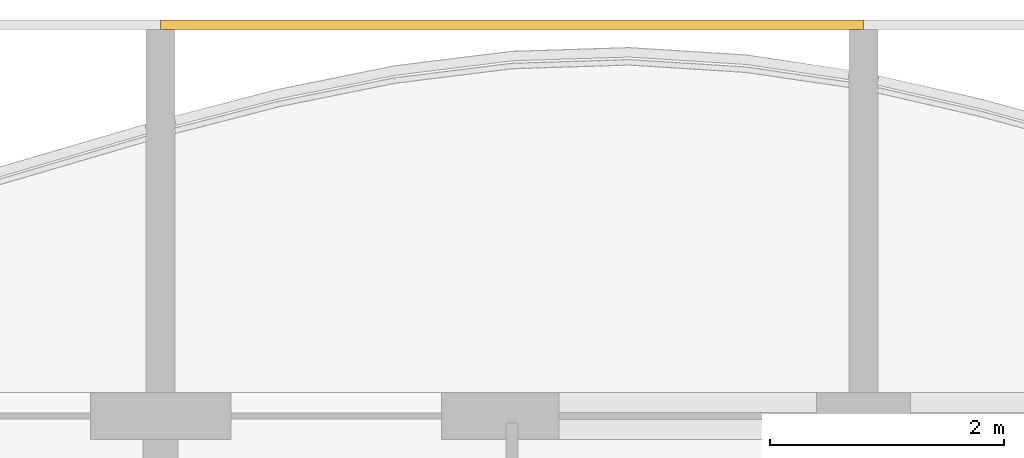
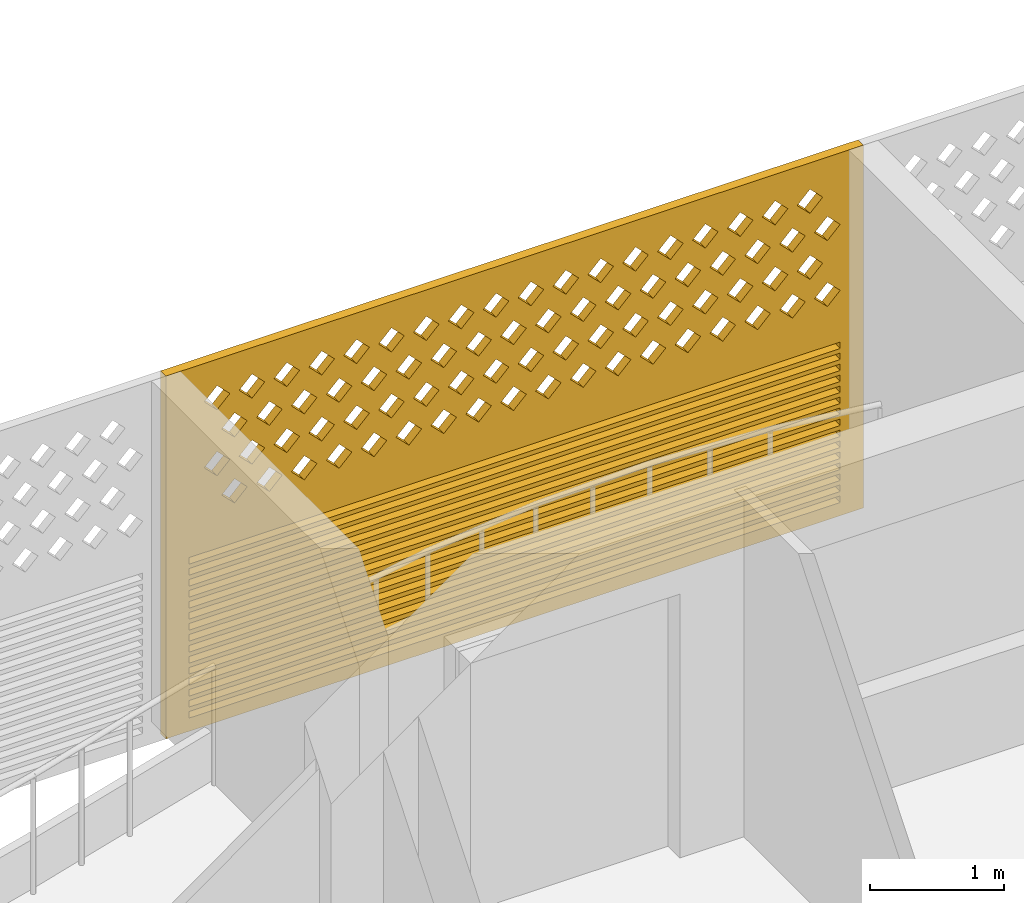
# One storey, part 29 of 31: 1 covering.
"""IFC4 building model written with IfcOpenShell, lengths in metres."""

from ifc_helpers import new_model, si_unit, direction, frame, origin, place, context, subcontext, project, spatial, polyline, outline, extrude, source, transform, mapped, material, material_profile, profile_set, type_object, element, save


model = new_model("IFC4")

# Units and contexts
model_context = context("Model", 3, precision=1e-05, world=origin(), true_north=direction((0.0, 1.0)))
body_context = subcontext(model_context, "Body", "Model", "MODEL_VIEW")
ifc_project = project(units=[si_unit("LENGTHUNIT", "METRE"), si_unit("AREAUNIT", "SQUARE_METRE"), si_unit("VOLUMEUNIT", "CUBIC_METRE"), si_unit("PLANEANGLEUNIT", "RADIAN"), si_unit("MASSUNIT", "GRAM", prefix="KILO")], contexts=[model_context])

# Site, building, storey
site_placement = place(None, origin())
site = spatial("IfcSite", under=ifc_project, at=site_placement, CompositionType="ELEMENT")
building_placement = place(site_placement, origin())
building = spatial("IfcBuilding", under=site, at=building_placement, Name="Poui Terraces", CompositionType="ELEMENT")
storey_placement = place(building_placement, frame((0.0, 0.0, 145.5)))
storey = spatial("IfcBuildingStorey", under=building, at=storey_placement, Name="L40", CompositionType="ELEMENT", Elevation=145.5)

# Covering
ifc_material = material(Name="Terracotta screen", Category="masonry")
ifc_material_profile = material_profile(ifc_material, outline(polyline([(-3.0, -1.64990234375), (3.0, -1.64990234375), (3.0, 1.64990234375), (-3.0, 1.64990234375), (-3.0, -1.64990234375)]), holes=[polyline([(-2.800048828125, 0.39990234375), (-2.68994140625, 0.2900390625), (-2.580078125, 0.39990234375), (-2.68994140625, 0.510009765625), (-2.800048828125, 0.39990234375)]), polyline([(-2.5, 0.39990234375), (-2.389892578125, 0.2900390625), (-2.280029296875, 0.39990234375), (-2.389892578125, 0.510009765625), (-2.5, 0.39990234375)]), polyline([(-2.199951171875, 0.39990234375), (-2.090087890625, 0.2900390625), (-1.97998046875, 0.39990234375), (-2.090087890625, 0.510009765625), (-2.199951171875, 0.39990234375)]), polyline([(-1.89990234375, 0.39990234375), (-1.7900390625, 0.2900390625), (-1.679931640625, 0.39990234375), (-1.7900390625, 0.510009765625), (-1.89990234375, 0.39990234375)]), polyline([(-1.60009765625, 0.39990234375), (-1.489990234375, 0.2900390625), (-1.3798828125, 0.39990234375), (-1.489990234375, 0.510009765625), (-1.60009765625, 0.39990234375)]), polyline([(-1.300048828125, 0.39990234375), (-1.18994140625, 0.2900390625), (-1.080078125, 0.39990234375), (-1.18994140625, 0.510009765625), (-1.300048828125, 0.39990234375)]), polyline([(-1.0, 0.39990234375), (-0.889892578125, 0.2900390625), (-0.780029296875, 0.39990234375), (-0.889892578125, 0.510009765625), (-1.0, 0.39990234375)]), polyline([(-0.699951171875, 0.39990234375), (-0.590087890625, 0.2900390625), (-0.47998046875, 0.39990234375), (-0.590087890625, 0.510009765625), (-0.699951171875, 0.39990234375)]), polyline([(-0.39990234375, 0.39990234375), (-0.2900390625, 0.2900390625), (-0.179931640625, 0.39990234375), (-0.2900390625, 0.510009765625), (-0.39990234375, 0.39990234375)]), polyline([(-0.10009765625, 0.39990234375), (0.010009765625, 0.2900390625), (0.1201171875, 0.39990234375), (0.010009765625, 0.510009765625), (-0.10009765625, 0.39990234375)]), polyline([(0.199951171875, 0.39990234375), (0.31005859375, 0.2900390625), (0.419921875, 0.39990234375), (0.31005859375, 0.510009765625), (0.199951171875, 0.39990234375)]), polyline([(0.5, 0.39990234375), (0.610107421875, 0.2900390625), (0.719970703125, 0.39990234375), (0.610107421875, 0.510009765625), (0.5, 0.39990234375)]), polyline([(0.800048828125, 0.39990234375), (0.909912109375, 0.2900390625), (1.02001953125, 0.39990234375), (0.909912109375, 0.510009765625), (0.800048828125, 0.39990234375)]), polyline([(1.10009765625, 0.39990234375), (1.2099609375, 0.2900390625), (1.320068359375, 0.39990234375), (1.2099609375, 0.510009765625), (1.10009765625, 0.39990234375)]), polyline([(1.39990234375, 0.39990234375), (1.510009765625, 0.2900390625), (1.6201171875, 0.39990234375), (1.510009765625, 0.510009765625), (1.39990234375, 0.39990234375)]), polyline([(1.699951171875, 0.39990234375), (1.81005859375, 0.2900390625), (1.919921875, 0.39990234375), (1.81005859375, 0.510009765625), (1.699951171875, 0.39990234375)]), polyline([(2.0, 0.39990234375), (2.110107421875, 0.2900390625), (2.219970703125, 0.39990234375), (2.110107421875, 0.510009765625), (2.0, 0.39990234375)]), polyline([(2.300048828125, 0.39990234375), (2.409912109375, 0.2900390625), (2.52001953125, 0.39990234375), (2.409912109375, 0.510009765625), (2.300048828125, 0.39990234375)]), polyline([(-2.64990234375, 0.699951171875), (-2.5400390625, 0.590087890625), (-2.429931640625, 0.699951171875), (-2.5400390625, 0.81005859375), (-2.64990234375, 0.699951171875)]), polyline([(-2.35009765625, 0.699951171875), (-2.239990234375, 0.590087890625), (-2.1298828125, 0.699951171875), (-2.239990234375, 0.81005859375), (-2.35009765625, 0.699951171875)]), polyline([(-2.050048828125, 0.699951171875), (-1.93994140625, 0.590087890625), (-1.830078125, 0.699951171875), (-1.93994140625, 0.81005859375), (-2.050048828125, 0.699951171875)]), polyline([(-1.75, 0.699951171875), (-1.639892578125, 0.590087890625), (-1.530029296875, 0.699951171875), (-1.639892578125, 0.81005859375), (-1.75, 0.699951171875)]), polyline([(-1.449951171875, 0.699951171875), (-1.340087890625, 0.590087890625), (-1.22998046875, 0.699951171875), (-1.340087890625, 0.81005859375), (-1.449951171875, 0.699951171875)]), polyline([(-1.14990234375, 0.699951171875), (-1.0400390625, 0.590087890625), (-0.929931640625, 0.699951171875), (-1.0400390625, 0.81005859375), (-1.14990234375, 0.699951171875)]), polyline([(-0.85009765625, 0.699951171875), (-0.739990234375, 0.590087890625), (-0.6298828125, 0.699951171875), (-0.739990234375, 0.81005859375), (-0.85009765625, 0.699951171875)]), polyline([(-0.550048828125, 0.699951171875), (-0.43994140625, 0.590087890625), (-0.330078125, 0.699951171875), (-0.43994140625, 0.81005859375), (-0.550048828125, 0.699951171875)]), polyline([(-0.25, 0.699951171875), (-0.139892578125, 0.590087890625), (-0.030029296875, 0.699951171875), (-0.139892578125, 0.81005859375), (-0.25, 0.699951171875)]), polyline([(0.050048828125, 0.699951171875), (0.159912109375, 0.590087890625), (0.27001953125, 0.699951171875), (0.159912109375, 0.81005859375), (0.050048828125, 0.699951171875)]), polyline([(0.35009765625, 0.699951171875), (0.4599609375, 0.590087890625), (0.570068359375, 0.699951171875), (0.4599609375, 0.81005859375), (0.35009765625, 0.699951171875)]), polyline([(0.64990234375, 0.699951171875), (0.760009765625, 0.590087890625), (0.8701171875, 0.699951171875), (0.760009765625, 0.81005859375), (0.64990234375, 0.699951171875)]), polyline([(0.949951171875, 0.699951171875), (1.06005859375, 0.590087890625), (1.169921875, 0.699951171875), (1.06005859375, 0.81005859375), (0.949951171875, 0.699951171875)]), polyline([(1.25, 0.699951171875), (1.360107421875, 0.590087890625), (1.469970703125, 0.699951171875), (1.360107421875, 0.81005859375), (1.25, 0.699951171875)]), polyline([(1.550048828125, 0.699951171875), (1.659912109375, 0.590087890625), (1.77001953125, 0.699951171875), (1.659912109375, 0.81005859375), (1.550048828125, 0.699951171875)]), polyline([(1.85009765625, 0.699951171875), (1.9599609375, 0.590087890625), (2.070068359375, 0.699951171875), (1.9599609375, 0.81005859375), (1.85009765625, 0.699951171875)]), polyline([(2.14990234375, 0.699951171875), (2.260009765625, 0.590087890625), (2.3701171875, 0.699951171875), (2.260009765625, 0.81005859375), (2.14990234375, 0.699951171875)]), polyline([(2.449951171875, 0.699951171875), (2.56005859375, 0.590087890625), (2.669921875, 0.699951171875), (2.56005859375, 0.81005859375), (2.449951171875, 0.699951171875)]), polyline([(-2.800048828125, 1.0), (-2.68994140625, 0.889892578125), (-2.580078125, 1.0), (-2.68994140625, 1.110107421875), (-2.800048828125, 1.0)]), polyline([(-2.5, 1.0), (-2.389892578125, 0.889892578125), (-2.280029296875, 1.0), (-2.389892578125, 1.110107421875), (-2.5, 1.0)]), polyline([(-2.199951171875, 1.0), (-2.090087890625, 0.889892578125), (-1.97998046875, 1.0), (-2.090087890625, 1.110107421875), (-2.199951171875, 1.0)]), polyline([(-1.89990234375, 1.0), (-1.7900390625, 0.889892578125), (-1.679931640625, 1.0), (-1.7900390625, 1.110107421875), (-1.89990234375, 1.0)]), polyline([(-1.60009765625, 1.0), (-1.489990234375, 0.889892578125), (-1.3798828125, 1.0), (-1.489990234375, 1.110107421875), (-1.60009765625, 1.0)]), polyline([(-1.300048828125, 1.0), (-1.18994140625, 0.889892578125), (-1.080078125, 1.0), (-1.18994140625, 1.110107421875), (-1.300048828125, 1.0)]), polyline([(-1.0, 1.0), (-0.889892578125, 0.889892578125), (-0.780029296875, 1.0), (-0.889892578125, 1.110107421875), (-1.0, 1.0)]), polyline([(-0.699951171875, 1.0), (-0.590087890625, 0.889892578125), (-0.47998046875, 1.0), (-0.590087890625, 1.110107421875), (-0.699951171875, 1.0)]), polyline([(-0.39990234375, 1.0), (-0.2900390625, 0.889892578125), (-0.179931640625, 1.0), (-0.2900390625, 1.110107421875), (-0.39990234375, 1.0)]), polyline([(-0.10009765625, 1.0), (0.010009765625, 0.889892578125), (0.1201171875, 1.0), (0.010009765625, 1.110107421875), (-0.10009765625, 1.0)]), polyline([(0.199951171875, 1.0), (0.31005859375, 0.889892578125), (0.419921875, 1.0), (0.31005859375, 1.110107421875), (0.199951171875, 1.0)]), polyline([(0.5, 1.0), (0.610107421875, 0.889892578125), (0.719970703125, 1.0), (0.610107421875, 1.110107421875), (0.5, 1.0)]), polyline([(0.800048828125, 1.0), (0.909912109375, 0.889892578125), (1.02001953125, 1.0), (0.909912109375, 1.110107421875), (0.800048828125, 1.0)]), polyline([(1.10009765625, 1.0), (1.2099609375, 0.889892578125), (1.320068359375, 1.0), (1.2099609375, 1.110107421875), (1.10009765625, 1.0)]), polyline([(1.39990234375, 1.0), (1.510009765625, 0.889892578125), (1.6201171875, 1.0), (1.510009765625, 1.110107421875), (1.39990234375, 1.0)]), polyline([(1.699951171875, 1.0), (1.81005859375, 0.889892578125), (1.919921875, 1.0), (1.81005859375, 1.110107421875), (1.699951171875, 1.0)]), polyline([(2.0, 1.0), (2.110107421875, 0.889892578125), (2.219970703125, 1.0), (2.110107421875, 1.110107421875), (2.0, 1.0)]), polyline([(2.300048828125, 1.0), (2.409912109375, 0.889892578125), (2.52001953125, 1.0), (2.409912109375, 1.110107421875), (2.300048828125, 1.0)]), polyline([(-2.64990234375, 1.300048828125), (-2.5400390625, 1.18994140625), (-2.429931640625, 1.300048828125), (-2.5400390625, 1.409912109375), (-2.64990234375, 1.300048828125)]), polyline([(-2.35009765625, 1.300048828125), (-2.239990234375, 1.18994140625), (-2.1298828125, 1.300048828125), (-2.239990234375, 1.409912109375), (-2.35009765625, 1.300048828125)]), polyline([(-2.050048828125, 1.300048828125), (-1.93994140625, 1.18994140625), (-1.830078125, 1.300048828125), (-1.93994140625, 1.409912109375), (-2.050048828125, 1.300048828125)]), polyline([(-1.75, 1.300048828125), (-1.639892578125, 1.18994140625), (-1.530029296875, 1.300048828125), (-1.639892578125, 1.409912109375), (-1.75, 1.300048828125)]), polyline([(-1.449951171875, 1.300048828125), (-1.340087890625, 1.18994140625), (-1.22998046875, 1.300048828125), (-1.340087890625, 1.409912109375), (-1.449951171875, 1.300048828125)]), polyline([(-1.14990234375, 1.300048828125), (-1.0400390625, 1.18994140625), (-0.929931640625, 1.300048828125), (-1.0400390625, 1.409912109375), (-1.14990234375, 1.300048828125)]), polyline([(-0.85009765625, 1.300048828125), (-0.739990234375, 1.18994140625), (-0.6298828125, 1.300048828125), (-0.739990234375, 1.409912109375), (-0.85009765625, 1.300048828125)]), polyline([(-0.550048828125, 1.300048828125), (-0.43994140625, 1.18994140625), (-0.330078125, 1.300048828125), (-0.43994140625, 1.409912109375), (-0.550048828125, 1.300048828125)]), polyline([(-0.25, 1.300048828125), (-0.139892578125, 1.18994140625), (-0.030029296875, 1.300048828125), (-0.139892578125, 1.409912109375), (-0.25, 1.300048828125)]), polyline([(0.050048828125, 1.300048828125), (0.159912109375, 1.18994140625), (0.27001953125, 1.300048828125), (0.159912109375, 1.409912109375), (0.050048828125, 1.300048828125)]), polyline([(0.35009765625, 1.300048828125), (0.4599609375, 1.18994140625), (0.570068359375, 1.300048828125), (0.4599609375, 1.409912109375), (0.35009765625, 1.300048828125)]), polyline([(0.64990234375, 1.300048828125), (0.760009765625, 1.18994140625), (0.8701171875, 1.300048828125), (0.760009765625, 1.409912109375), (0.64990234375, 1.300048828125)]), polyline([(0.949951171875, 1.300048828125), (1.06005859375, 1.18994140625), (1.169921875, 1.300048828125), (1.06005859375, 1.409912109375), (0.949951171875, 1.300048828125)]), polyline([(1.25, 1.300048828125), (1.360107421875, 1.18994140625), (1.469970703125, 1.300048828125), (1.360107421875, 1.409912109375), (1.25, 1.300048828125)]), polyline([(1.550048828125, 1.300048828125), (1.659912109375, 1.18994140625), (1.77001953125, 1.300048828125), (1.659912109375, 1.409912109375), (1.550048828125, 1.300048828125)]), polyline([(1.85009765625, 1.300048828125), (1.9599609375, 1.18994140625), (2.070068359375, 1.300048828125), (1.9599609375, 1.409912109375), (1.85009765625, 1.300048828125)]), polyline([(2.14990234375, 1.300048828125), (2.260009765625, 1.18994140625), (2.3701171875, 1.300048828125), (2.260009765625, 1.409912109375), (2.14990234375, 1.300048828125)]), polyline([(2.449951171875, 1.300048828125), (2.56005859375, 1.18994140625), (2.669921875, 1.300048828125), (2.56005859375, 1.409912109375), (2.449951171875, 1.300048828125)]), polyline([(-2.800048828125, -1.530029296875), (2.800048828125, -1.530029296875), (2.800048828125, -1.469970703125), (-2.800048828125, -1.469970703125), (-2.800048828125, -1.530029296875)]), polyline([(-2.800048828125, -1.429931640625), (2.800048828125, -1.429931640625), (2.800048828125, -1.3701171875), (-2.800048828125, -1.3701171875), (-2.800048828125, -1.429931640625)]), polyline([(-2.800048828125, -1.330078125), (2.800048828125, -1.330078125), (2.800048828125, -1.27001953125), (-2.800048828125, -1.27001953125), (-2.800048828125, -1.330078125)]), polyline([(-2.800048828125, -1.22998046875), (2.800048828125, -1.22998046875), (2.800048828125, -1.169921875), (-2.800048828125, -1.169921875), (-2.800048828125, -1.22998046875)]), polyline([(-2.800048828125, -1.1298828125), (2.800048828125, -1.1298828125), (2.800048828125, -1.070068359375), (-2.800048828125, -1.070068359375), (-2.800048828125, -1.1298828125)]), polyline([(-2.800048828125, -1.030029296875), (2.800048828125, -1.030029296875), (2.800048828125, -0.969970703125), (-2.800048828125, -0.969970703125), (-2.800048828125, -1.030029296875)]), polyline([(-2.800048828125, -0.929931640625), (2.800048828125, -0.929931640625), (2.800048828125, -0.8701171875), (-2.800048828125, -0.8701171875), (-2.800048828125, -0.929931640625)]), polyline([(-2.800048828125, -0.830078125), (2.800048828125, -0.830078125), (2.800048828125, -0.77001953125), (-2.800048828125, -0.77001953125), (-2.800048828125, -0.830078125)]), polyline([(-2.800048828125, -0.72998046875), (2.800048828125, -0.72998046875), (2.800048828125, -0.669921875), (-2.800048828125, -0.669921875), (-2.800048828125, -0.72998046875)]), polyline([(-2.800048828125, -0.6298828125), (2.800048828125, -0.6298828125), (2.800048828125, -0.570068359375), (-2.800048828125, -0.570068359375), (-2.800048828125, -0.6298828125)]), polyline([(-2.800048828125, -0.530029296875), (2.800048828125, -0.530029296875), (2.800048828125, -0.469970703125), (-2.800048828125, -0.469970703125), (-2.800048828125, -0.530029296875)]), polyline([(-2.800048828125, -0.429931640625), (2.800048828125, -0.429931640625), (2.800048828125, -0.3701171875), (-2.800048828125, -0.3701171875), (-2.800048828125, -0.429931640625)]), polyline([(-2.800048828125, -0.330078125), (2.800048828125, -0.330078125), (2.800048828125, -0.27001953125), (-2.800048828125, -0.27001953125), (-2.800048828125, -0.330078125)]), polyline([(-2.800048828125, -0.22998046875), (2.800048828125, -0.22998046875), (2.800048828125, -0.169921875), (-2.800048828125, -0.169921875), (-2.800048828125, -0.22998046875)]), polyline([(-2.800048828125, -0.1298828125), (2.800048828125, -0.1298828125), (2.800048828125, -0.070068359375), (-2.800048828125, -0.070068359375), (-2.800048828125, -0.1298828125)])]), Name="TERRACOTTA SCREEN AND JALOUSIE LOUVRE 6000X3300")
ifc_profile_set = profile_set([ifc_material_profile], Name="Terracotta screen")
covering_type = type_object("IfcCoveringType", Name="TERRACOTTA SCREEN AND JALOUSIE LOUVRE 6000X3300", PredefinedType="CLADDING", material=ifc_profile_set)
shared_shape = source(origin(), body_context, "Body", "SweptSolid", [
    extrude(outline(polyline([(-3.0, -1.64990234375), (3.0, -1.64990234375), (3.0, 1.64990234375), (-3.0, 1.64990234375), (-3.0, -1.64990234375)]), holes=[polyline([(-2.800048828125, 0.39990234375), (-2.68994140625, 0.2900390625), (-2.580078125, 0.39990234375), (-2.68994140625, 0.510009765625), (-2.800048828125, 0.39990234375)]), polyline([(-2.5, 0.39990234375), (-2.389892578125, 0.2900390625), (-2.280029296875, 0.39990234375), (-2.389892578125, 0.510009765625), (-2.5, 0.39990234375)]), polyline([(-2.199951171875, 0.39990234375), (-2.090087890625, 0.2900390625), (-1.97998046875, 0.39990234375), (-2.090087890625, 0.510009765625), (-2.199951171875, 0.39990234375)]), polyline([(-1.89990234375, 0.39990234375), (-1.7900390625, 0.2900390625), (-1.679931640625, 0.39990234375), (-1.7900390625, 0.510009765625), (-1.89990234375, 0.39990234375)]), polyline([(-1.60009765625, 0.39990234375), (-1.489990234375, 0.2900390625), (-1.3798828125, 0.39990234375), (-1.489990234375, 0.510009765625), (-1.60009765625, 0.39990234375)]), polyline([(-1.300048828125, 0.39990234375), (-1.18994140625, 0.2900390625), (-1.080078125, 0.39990234375), (-1.18994140625, 0.510009765625), (-1.300048828125, 0.39990234375)]), polyline([(-1.0, 0.39990234375), (-0.889892578125, 0.2900390625), (-0.780029296875, 0.39990234375), (-0.889892578125, 0.510009765625), (-1.0, 0.39990234375)]), polyline([(-0.699951171875, 0.39990234375), (-0.590087890625, 0.2900390625), (-0.47998046875, 0.39990234375), (-0.590087890625, 0.510009765625), (-0.699951171875, 0.39990234375)]), polyline([(-0.39990234375, 0.39990234375), (-0.2900390625, 0.2900390625), (-0.179931640625, 0.39990234375), (-0.2900390625, 0.510009765625), (-0.39990234375, 0.39990234375)]), polyline([(-0.10009765625, 0.39990234375), (0.010009765625, 0.2900390625), (0.1201171875, 0.39990234375), (0.010009765625, 0.510009765625), (-0.10009765625, 0.39990234375)]), polyline([(0.199951171875, 0.39990234375), (0.31005859375, 0.2900390625), (0.419921875, 0.39990234375), (0.31005859375, 0.510009765625), (0.199951171875, 0.39990234375)]), polyline([(0.5, 0.39990234375), (0.610107421875, 0.2900390625), (0.719970703125, 0.39990234375), (0.610107421875, 0.510009765625), (0.5, 0.39990234375)]), polyline([(0.800048828125, 0.39990234375), (0.909912109375, 0.2900390625), (1.02001953125, 0.39990234375), (0.909912109375, 0.510009765625), (0.800048828125, 0.39990234375)]), polyline([(1.10009765625, 0.39990234375), (1.2099609375, 0.2900390625), (1.320068359375, 0.39990234375), (1.2099609375, 0.510009765625), (1.10009765625, 0.39990234375)]), polyline([(1.39990234375, 0.39990234375), (1.510009765625, 0.2900390625), (1.6201171875, 0.39990234375), (1.510009765625, 0.510009765625), (1.39990234375, 0.39990234375)]), polyline([(1.699951171875, 0.39990234375), (1.81005859375, 0.2900390625), (1.919921875, 0.39990234375), (1.81005859375, 0.510009765625), (1.699951171875, 0.39990234375)]), polyline([(2.0, 0.39990234375), (2.110107421875, 0.2900390625), (2.219970703125, 0.39990234375), (2.110107421875, 0.510009765625), (2.0, 0.39990234375)]), polyline([(2.300048828125, 0.39990234375), (2.409912109375, 0.2900390625), (2.52001953125, 0.39990234375), (2.409912109375, 0.510009765625), (2.300048828125, 0.39990234375)]), polyline([(-2.64990234375, 0.699951171875), (-2.5400390625, 0.590087890625), (-2.429931640625, 0.699951171875), (-2.5400390625, 0.81005859375), (-2.64990234375, 0.699951171875)]), polyline([(-2.35009765625, 0.699951171875), (-2.239990234375, 0.590087890625), (-2.1298828125, 0.699951171875), (-2.239990234375, 0.81005859375), (-2.35009765625, 0.699951171875)]), polyline([(-2.050048828125, 0.699951171875), (-1.93994140625, 0.590087890625), (-1.830078125, 0.699951171875), (-1.93994140625, 0.81005859375), (-2.050048828125, 0.699951171875)]), polyline([(-1.75, 0.699951171875), (-1.639892578125, 0.590087890625), (-1.530029296875, 0.699951171875), (-1.639892578125, 0.81005859375), (-1.75, 0.699951171875)]), polyline([(-1.449951171875, 0.699951171875), (-1.340087890625, 0.590087890625), (-1.22998046875, 0.699951171875), (-1.340087890625, 0.81005859375), (-1.449951171875, 0.699951171875)]), polyline([(-1.14990234375, 0.699951171875), (-1.0400390625, 0.590087890625), (-0.929931640625, 0.699951171875), (-1.0400390625, 0.81005859375), (-1.14990234375, 0.699951171875)]), polyline([(-0.85009765625, 0.699951171875), (-0.739990234375, 0.590087890625), (-0.6298828125, 0.699951171875), (-0.739990234375, 0.81005859375), (-0.85009765625, 0.699951171875)]), polyline([(-0.550048828125, 0.699951171875), (-0.43994140625, 0.590087890625), (-0.330078125, 0.699951171875), (-0.43994140625, 0.81005859375), (-0.550048828125, 0.699951171875)]), polyline([(-0.25, 0.699951171875), (-0.139892578125, 0.590087890625), (-0.030029296875, 0.699951171875), (-0.139892578125, 0.81005859375), (-0.25, 0.699951171875)]), polyline([(0.050048828125, 0.699951171875), (0.159912109375, 0.590087890625), (0.27001953125, 0.699951171875), (0.159912109375, 0.81005859375), (0.050048828125, 0.699951171875)]), polyline([(0.35009765625, 0.699951171875), (0.4599609375, 0.590087890625), (0.570068359375, 0.699951171875), (0.4599609375, 0.81005859375), (0.35009765625, 0.699951171875)]), polyline([(0.64990234375, 0.699951171875), (0.760009765625, 0.590087890625), (0.8701171875, 0.699951171875), (0.760009765625, 0.81005859375), (0.64990234375, 0.699951171875)]), polyline([(0.949951171875, 0.699951171875), (1.06005859375, 0.590087890625), (1.169921875, 0.699951171875), (1.06005859375, 0.81005859375), (0.949951171875, 0.699951171875)]), polyline([(1.25, 0.699951171875), (1.360107421875, 0.590087890625), (1.469970703125, 0.699951171875), (1.360107421875, 0.81005859375), (1.25, 0.699951171875)]), polyline([(1.550048828125, 0.699951171875), (1.659912109375, 0.590087890625), (1.77001953125, 0.699951171875), (1.659912109375, 0.81005859375), (1.550048828125, 0.699951171875)]), polyline([(1.85009765625, 0.699951171875), (1.9599609375, 0.590087890625), (2.070068359375, 0.699951171875), (1.9599609375, 0.81005859375), (1.85009765625, 0.699951171875)]), polyline([(2.14990234375, 0.699951171875), (2.260009765625, 0.590087890625), (2.3701171875, 0.699951171875), (2.260009765625, 0.81005859375), (2.14990234375, 0.699951171875)]), polyline([(2.449951171875, 0.699951171875), (2.56005859375, 0.590087890625), (2.669921875, 0.699951171875), (2.56005859375, 0.81005859375), (2.449951171875, 0.699951171875)]), polyline([(-2.800048828125, 1.0), (-2.68994140625, 0.889892578125), (-2.580078125, 1.0), (-2.68994140625, 1.110107421875), (-2.800048828125, 1.0)]), polyline([(-2.5, 1.0), (-2.389892578125, 0.889892578125), (-2.280029296875, 1.0), (-2.389892578125, 1.110107421875), (-2.5, 1.0)]), polyline([(-2.199951171875, 1.0), (-2.090087890625, 0.889892578125), (-1.97998046875, 1.0), (-2.090087890625, 1.110107421875), (-2.199951171875, 1.0)]), polyline([(-1.89990234375, 1.0), (-1.7900390625, 0.889892578125), (-1.679931640625, 1.0), (-1.7900390625, 1.110107421875), (-1.89990234375, 1.0)]), polyline([(-1.60009765625, 1.0), (-1.489990234375, 0.889892578125), (-1.3798828125, 1.0), (-1.489990234375, 1.110107421875), (-1.60009765625, 1.0)]), polyline([(-1.300048828125, 1.0), (-1.18994140625, 0.889892578125), (-1.080078125, 1.0), (-1.18994140625, 1.110107421875), (-1.300048828125, 1.0)]), polyline([(-1.0, 1.0), (-0.889892578125, 0.889892578125), (-0.780029296875, 1.0), (-0.889892578125, 1.110107421875), (-1.0, 1.0)]), polyline([(-0.699951171875, 1.0), (-0.590087890625, 0.889892578125), (-0.47998046875, 1.0), (-0.590087890625, 1.110107421875), (-0.699951171875, 1.0)]), polyline([(-0.39990234375, 1.0), (-0.2900390625, 0.889892578125), (-0.179931640625, 1.0), (-0.2900390625, 1.110107421875), (-0.39990234375, 1.0)]), polyline([(-0.10009765625, 1.0), (0.010009765625, 0.889892578125), (0.1201171875, 1.0), (0.010009765625, 1.110107421875), (-0.10009765625, 1.0)]), polyline([(0.199951171875, 1.0), (0.31005859375, 0.889892578125), (0.419921875, 1.0), (0.31005859375, 1.110107421875), (0.199951171875, 1.0)]), polyline([(0.5, 1.0), (0.610107421875, 0.889892578125), (0.719970703125, 1.0), (0.610107421875, 1.110107421875), (0.5, 1.0)]), polyline([(0.800048828125, 1.0), (0.909912109375, 0.889892578125), (1.02001953125, 1.0), (0.909912109375, 1.110107421875), (0.800048828125, 1.0)]), polyline([(1.10009765625, 1.0), (1.2099609375, 0.889892578125), (1.320068359375, 1.0), (1.2099609375, 1.110107421875), (1.10009765625, 1.0)]), polyline([(1.39990234375, 1.0), (1.510009765625, 0.889892578125), (1.6201171875, 1.0), (1.510009765625, 1.110107421875), (1.39990234375, 1.0)]), polyline([(1.699951171875, 1.0), (1.81005859375, 0.889892578125), (1.919921875, 1.0), (1.81005859375, 1.110107421875), (1.699951171875, 1.0)]), polyline([(2.0, 1.0), (2.110107421875, 0.889892578125), (2.219970703125, 1.0), (2.110107421875, 1.110107421875), (2.0, 1.0)]), polyline([(2.300048828125, 1.0), (2.409912109375, 0.889892578125), (2.52001953125, 1.0), (2.409912109375, 1.110107421875), (2.300048828125, 1.0)]), polyline([(-2.64990234375, 1.300048828125), (-2.5400390625, 1.18994140625), (-2.429931640625, 1.300048828125), (-2.5400390625, 1.409912109375), (-2.64990234375, 1.300048828125)]), polyline([(-2.35009765625, 1.300048828125), (-2.239990234375, 1.18994140625), (-2.1298828125, 1.300048828125), (-2.239990234375, 1.409912109375), (-2.35009765625, 1.300048828125)]), polyline([(-2.050048828125, 1.300048828125), (-1.93994140625, 1.18994140625), (-1.830078125, 1.300048828125), (-1.93994140625, 1.409912109375), (-2.050048828125, 1.300048828125)]), polyline([(-1.75, 1.300048828125), (-1.639892578125, 1.18994140625), (-1.530029296875, 1.300048828125), (-1.639892578125, 1.409912109375), (-1.75, 1.300048828125)]), polyline([(-1.449951171875, 1.300048828125), (-1.340087890625, 1.18994140625), (-1.22998046875, 1.300048828125), (-1.340087890625, 1.409912109375), (-1.449951171875, 1.300048828125)]), polyline([(-1.14990234375, 1.300048828125), (-1.0400390625, 1.18994140625), (-0.929931640625, 1.300048828125), (-1.0400390625, 1.409912109375), (-1.14990234375, 1.300048828125)]), polyline([(-0.85009765625, 1.300048828125), (-0.739990234375, 1.18994140625), (-0.6298828125, 1.300048828125), (-0.739990234375, 1.409912109375), (-0.85009765625, 1.300048828125)]), polyline([(-0.550048828125, 1.300048828125), (-0.43994140625, 1.18994140625), (-0.330078125, 1.300048828125), (-0.43994140625, 1.409912109375), (-0.550048828125, 1.300048828125)]), polyline([(-0.25, 1.300048828125), (-0.139892578125, 1.18994140625), (-0.030029296875, 1.300048828125), (-0.139892578125, 1.409912109375), (-0.25, 1.300048828125)]), polyline([(0.050048828125, 1.300048828125), (0.159912109375, 1.18994140625), (0.27001953125, 1.300048828125), (0.159912109375, 1.409912109375), (0.050048828125, 1.300048828125)]), polyline([(0.35009765625, 1.300048828125), (0.4599609375, 1.18994140625), (0.570068359375, 1.300048828125), (0.4599609375, 1.409912109375), (0.35009765625, 1.300048828125)]), polyline([(0.64990234375, 1.300048828125), (0.760009765625, 1.18994140625), (0.8701171875, 1.300048828125), (0.760009765625, 1.409912109375), (0.64990234375, 1.300048828125)]), polyline([(0.949951171875, 1.300048828125), (1.06005859375, 1.18994140625), (1.169921875, 1.300048828125), (1.06005859375, 1.409912109375), (0.949951171875, 1.300048828125)]), polyline([(1.25, 1.300048828125), (1.360107421875, 1.18994140625), (1.469970703125, 1.300048828125), (1.360107421875, 1.409912109375), (1.25, 1.300048828125)]), polyline([(1.550048828125, 1.300048828125), (1.659912109375, 1.18994140625), (1.77001953125, 1.300048828125), (1.659912109375, 1.409912109375), (1.550048828125, 1.300048828125)]), polyline([(1.85009765625, 1.300048828125), (1.9599609375, 1.18994140625), (2.070068359375, 1.300048828125), (1.9599609375, 1.409912109375), (1.85009765625, 1.300048828125)]), polyline([(2.14990234375, 1.300048828125), (2.260009765625, 1.18994140625), (2.3701171875, 1.300048828125), (2.260009765625, 1.409912109375), (2.14990234375, 1.300048828125)]), polyline([(2.449951171875, 1.300048828125), (2.56005859375, 1.18994140625), (2.669921875, 1.300048828125), (2.56005859375, 1.409912109375), (2.449951171875, 1.300048828125)]), polyline([(-2.800048828125, -1.530029296875), (2.800048828125, -1.530029296875), (2.800048828125, -1.469970703125), (-2.800048828125, -1.469970703125), (-2.800048828125, -1.530029296875)]), polyline([(-2.800048828125, -1.429931640625), (2.800048828125, -1.429931640625), (2.800048828125, -1.3701171875), (-2.800048828125, -1.3701171875), (-2.800048828125, -1.429931640625)]), polyline([(-2.800048828125, -1.330078125), (2.800048828125, -1.330078125), (2.800048828125, -1.27001953125), (-2.800048828125, -1.27001953125), (-2.800048828125, -1.330078125)]), polyline([(-2.800048828125, -1.22998046875), (2.800048828125, -1.22998046875), (2.800048828125, -1.169921875), (-2.800048828125, -1.169921875), (-2.800048828125, -1.22998046875)]), polyline([(-2.800048828125, -1.1298828125), (2.800048828125, -1.1298828125), (2.800048828125, -1.070068359375), (-2.800048828125, -1.070068359375), (-2.800048828125, -1.1298828125)]), polyline([(-2.800048828125, -1.030029296875), (2.800048828125, -1.030029296875), (2.800048828125, -0.969970703125), (-2.800048828125, -0.969970703125), (-2.800048828125, -1.030029296875)]), polyline([(-2.800048828125, -0.929931640625), (2.800048828125, -0.929931640625), (2.800048828125, -0.8701171875), (-2.800048828125, -0.8701171875), (-2.800048828125, -0.929931640625)]), polyline([(-2.800048828125, -0.830078125), (2.800048828125, -0.830078125), (2.800048828125, -0.77001953125), (-2.800048828125, -0.77001953125), (-2.800048828125, -0.830078125)]), polyline([(-2.800048828125, -0.72998046875), (2.800048828125, -0.72998046875), (2.800048828125, -0.669921875), (-2.800048828125, -0.669921875), (-2.800048828125, -0.72998046875)]), polyline([(-2.800048828125, -0.6298828125), (2.800048828125, -0.6298828125), (2.800048828125, -0.570068359375), (-2.800048828125, -0.570068359375), (-2.800048828125, -0.6298828125)]), polyline([(-2.800048828125, -0.530029296875), (2.800048828125, -0.530029296875), (2.800048828125, -0.469970703125), (-2.800048828125, -0.469970703125), (-2.800048828125, -0.530029296875)]), polyline([(-2.800048828125, -0.429931640625), (2.800048828125, -0.429931640625), (2.800048828125, -0.3701171875), (-2.800048828125, -0.3701171875), (-2.800048828125, -0.429931640625)]), polyline([(-2.800048828125, -0.330078125), (2.800048828125, -0.330078125), (2.800048828125, -0.27001953125), (-2.800048828125, -0.27001953125), (-2.800048828125, -0.330078125)]), polyline([(-2.800048828125, -0.22998046875), (2.800048828125, -0.22998046875), (2.800048828125, -0.169921875), (-2.800048828125, -0.169921875), (-2.800048828125, -0.22998046875)]), polyline([(-2.800048828125, -0.1298828125), (2.800048828125, -0.1298828125), (2.800048828125, -0.070068359375), (-2.800048828125, -0.070068359375), (-2.800048828125, -0.1298828125)])]), origin(), (0.0, 0.0, 1.0), 0.080078125),
])
covering_placement = place(storey_placement, frame((75.0, 45.699951171875, 1.449951171875), z_axis=(0.0, 1.0, 0.0), x_axis=(-1.0, 0.0, 0.0)))
element("IfcCovering", 1, at=covering_placement, inside=storey, type_object=covering_type, Name="SOLAR SCREEN AND JALOUSIE LOUVRE", PredefinedType="CLADDING", context=body_context, shape_type="MappedRepresentation", body=[
    mapped(shared_shape, transform((0.0, 0.0, 0.0))),
])

save(model, "model.ifc")
